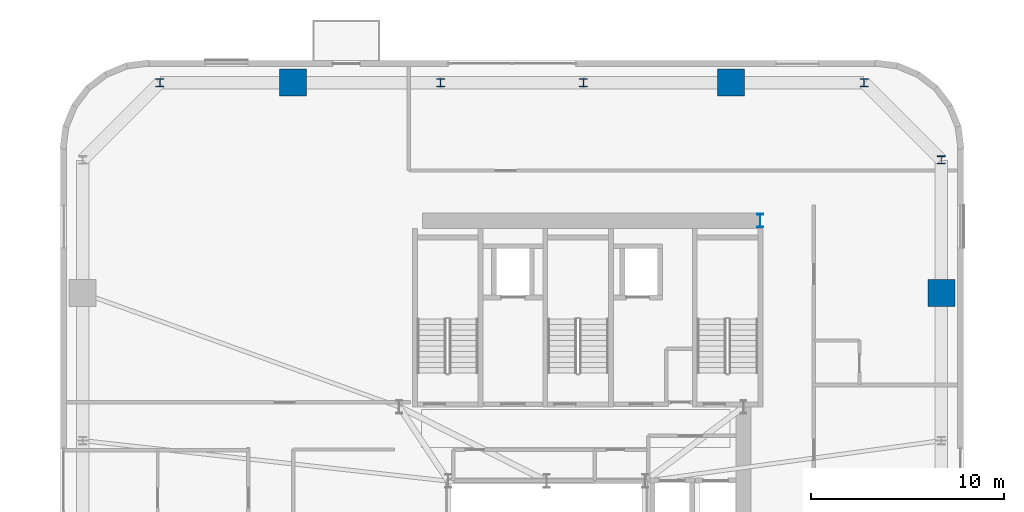
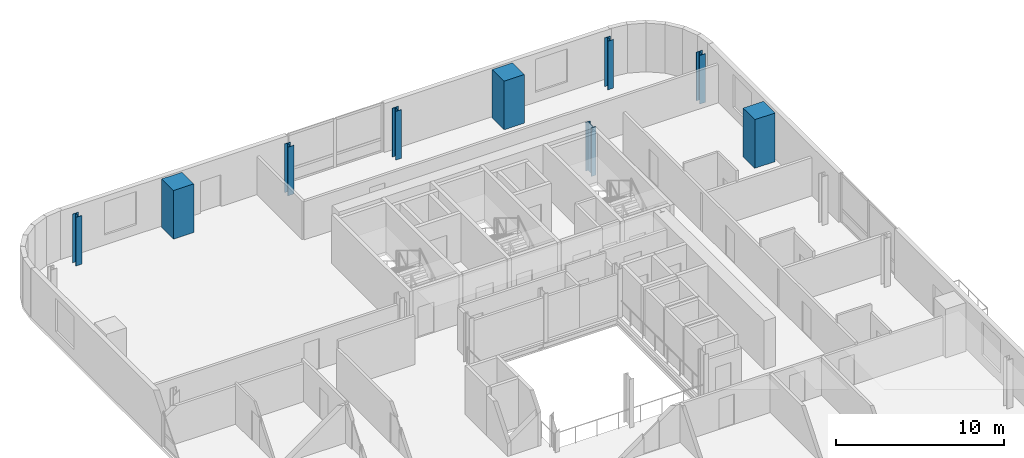
# One storey, part 2 of 16: 9 columns.
"""IFC4 building model written with IfcOpenShell, lengths in metres."""

from ifc_helpers import new_model, si_unit, direction, frame, origin, origin_2d, place, context, subcontext, project, spatial, rectangle, i_section, extrude, source, transform, mapped, material, material_profile, profile_set, type_object, element, save


model = new_model("IFC4")

# Units and contexts
model_context = context("Model", 3, precision=1e-05, world=origin(), true_north=direction((0.0, 1.0)))
body_context = subcontext(model_context, "Body", "Model", "MODEL_VIEW")
ifc_project = project(units=[si_unit("LENGTHUNIT", "METRE"), si_unit("AREAUNIT", "SQUARE_METRE"), si_unit("VOLUMEUNIT", "CUBIC_METRE"), si_unit("PLANEANGLEUNIT", "RADIAN"), si_unit("MASSUNIT", "GRAM", prefix="KILO")], contexts=[model_context])

# Site, building, storey
site_placement = place(None, origin())
site = spatial("IfcSite", under=ifc_project, at=site_placement, CompositionType="ELEMENT")
building_placement = place(site_placement, origin())
building = spatial("IfcBuilding", under=site, at=building_placement, Name="Vardaveli Station Tower", CompositionType="ELEMENT")
storey_placement = place(building_placement, frame((0.0, 0.0, 222.300048828125)))
storey = spatial("IfcBuildingStorey", under=building, at=storey_placement, Name="L57", CompositionType="ELEMENT", Elevation=222.300048828125)

# Columns
ifc_material_1 = material(Name="Structural steel S460M", Category="steel")
ifc_material_profile_1 = material_profile(ifc_material_1, i_section(OverallWidth=0.300048828125, OverallDepth=0.699951171875, WebThickness=0.01708984375, FlangeThickness=0.031982421875, FilletRadius=0.027099609375, at=origin_2d()), Name="HEB 700")
ifc_profile_set_1 = profile_set([ifc_material_profile_1], Name="Structural steel S460M")
column_type_1 = type_object("IfcColumnType", Name="COL-HEB700", PredefinedType="COLUMN", material=ifc_profile_set_1)
shared_shape_1 = source(origin(), body_context, "Body", "SweptSolid", [
    extrude(i_section(OverallWidth=0.300048828125, OverallDepth=0.699951171875, WebThickness=0.01708984375, FlangeThickness=0.031982421875, FilletRadius=0.027099609375, at=origin_2d()), origin(), (0.0, 0.0, 1.0), 3.530029296875),
])
column_placement = place(storey_placement, frame((47.3701171875, 40.300048828125, 0.0), z_axis=(0.0, 0.0, 1.0), x_axis=(1.0, 0.0, 0.0)))
element("IfcColumn", 1, at=column_placement, inside=storey, type_object=column_type_1, Name="COL-L57-CC3", PredefinedType="COLUMN", context=body_context, shape_type="MappedRepresentation", body=[
    mapped(shared_shape_1, transform((0.0, 0.0, 0.0), scale=1.0)),
])
ifc_material_2 = material(Name="Concrete C50/60", Category="concrete")
ifc_material_profile_2 = material_profile(ifc_material_2, rectangle(XDim=1.39990234375, YDim=1.39990234375, at=origin_2d()), Name="MC 1400x1400")
ifc_profile_set_2 = profile_set([ifc_material_profile_2], Name="Concrete C50/60")
column_type_2 = type_object("IfcColumnType", Name="COL-MC-1400", PredefinedType="COLUMN", material=ifc_profile_set_2)
shared_shape_2 = source(origin(), body_context, "Body", "SweptSolid", [
    extrude(rectangle(XDim=1.39990234375, YDim=1.39990234375, at=origin_2d()), origin(), (0.0, 0.0, 1.0), 3.530029296875),
])
for number, where, z_axis, x_axis, name in (
    (2, (56.75, 36.5400390625, 0.0), (0.0, 0.0, 1.0), (1.0, 0.0, 0.0), "COL-L57-MC4"),
    (3, (45.840087890625, 47.449951171875, 0.0), (0.0, 0.0, 1.0), (1.0, 0.0, 0.0), "COL-L57-MC5"),
    (4, (23.159912109375, 47.449951171875, 0.0), (0.0, 0.0, 1.0), (1.0, 0.0, 0.0), "COL-L57-MC6"),
):
    element("IfcColumn", number, at=place(storey_placement, frame(where, z_axis=z_axis, x_axis=x_axis)), inside=storey, type_object=column_type_2, Name=name, PredefinedType="COLUMN", context=body_context, shape_type="MappedRepresentation", body=[
        mapped(shared_shape_2, transform((0.0, 0.0, 0.0), scale=1.0)),
    ])
ifc_material_profile_3 = material_profile(ifc_material_1, i_section(OverallWidth=0.408935546875, OverallDepth=0.4169921875, WebThickness=0.021240234375, FlangeThickness=0.033203125, FilletRadius=0.014892578125, at=origin_2d()), Name="HD 400x347")
ifc_profile_set_3 = profile_set([ifc_material_profile_3], Name="Structural steel S460M")
column_type_3 = type_object("IfcColumnType", Name="COL-HD347", PredefinedType="COLUMN", material=ifc_profile_set_3)
shared_shape_3 = source(origin(), body_context, "Body", "SweptSolid", [
    extrude(i_section(OverallWidth=0.408935546875, OverallDepth=0.4169921875, WebThickness=0.021240234375, FlangeThickness=0.033203125, FilletRadius=0.014892578125, at=origin_2d()), origin(), (0.0, 0.0, 1.0), 3.530029296875),
])
for number, where, z_axis, x_axis, name in (
    (5, (56.75, 43.449951171875, 0.0), (0.0, 0.0, 1.0), (1.0, 0.0, 0.0), "COL-L57-PC08"),
    (6, (52.75, 47.449951171875, 0.0), (0.0, 0.0, 1.0), (1.0, 0.0, 0.0), "COL-L57-PC09"),
    (7, (38.199951171875, 47.449951171875, 0.0), (0.0, 0.0, 1.0), (1.0, 0.0, 0.0), "COL-L57-PC10"),
    (8, (30.800048828125, 47.449951171875, 0.0), (0.0, 0.0, 1.0), (1.0, 0.0, 0.0), "COL-L57-PC11"),
    (9, (16.25, 47.449951171875, 0.0), (0.0, 0.0, 1.0), (1.0, 0.0, 0.0), "COL-L57-PC12"),
):
    element("IfcColumn", number, at=place(storey_placement, frame(where, z_axis=z_axis, x_axis=x_axis)), inside=storey, type_object=column_type_3, Name=name, PredefinedType="COLUMN", context=body_context, shape_type="MappedRepresentation", body=[
        mapped(shared_shape_3, transform((0.0, 0.0, 0.0), scale=1.0)),
    ])

save(model, "model.ifc")
